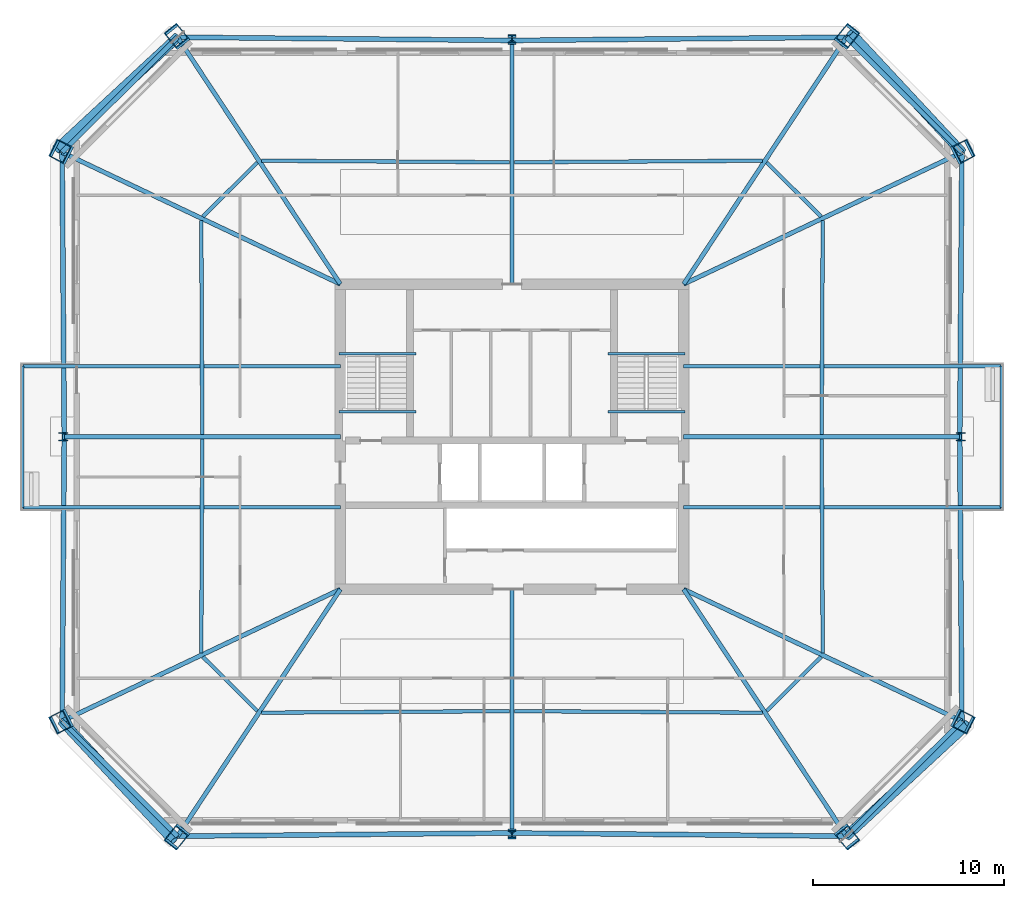
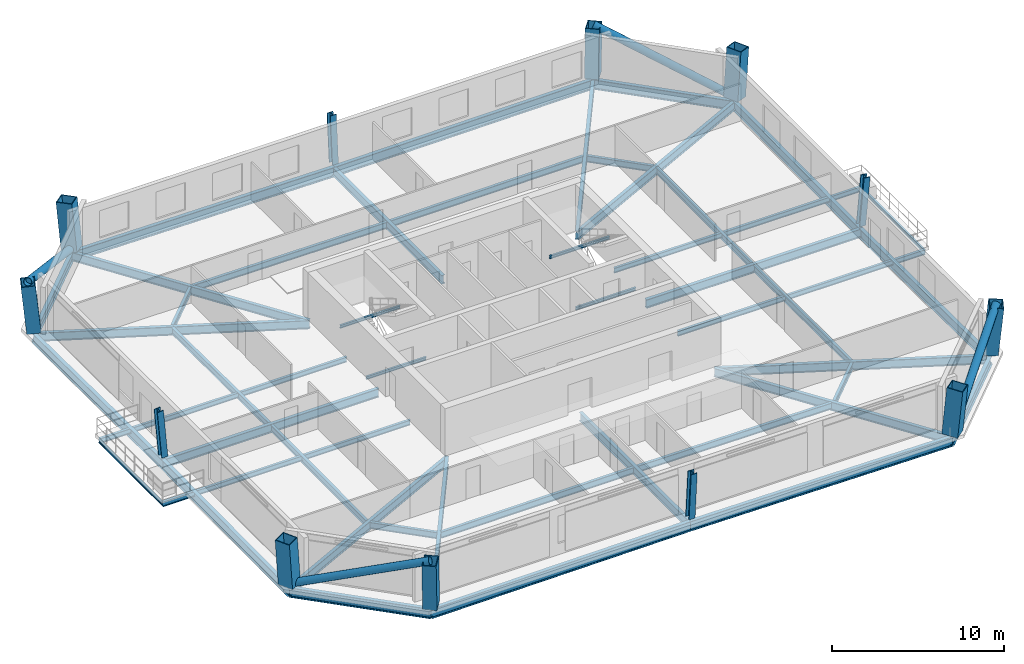
# One storey, part 1 of 8: 46 beams, 12 columns, 4 members.
"""IFC4 building model written with IfcOpenShell, lengths in metres."""

from ifc_helpers import new_model, si_unit, direction, frame, origin, origin_2d, place, context, subcontext, project, spatial, hollow_rectangle, hollow_circle, i_section, extrude, material, material_profile, profile_set, type_object, element, save


model = new_model("IFC4")

# Units and contexts
model_context = context("Model", 3, precision=1e-05, world=origin(), true_north=direction((0.0, 1.0)))
body_context = subcontext(model_context, "Body", "Model", "MODEL_VIEW")
ifc_project = project(units=[si_unit("LENGTHUNIT", "METRE"), si_unit("AREAUNIT", "SQUARE_METRE"), si_unit("VOLUMEUNIT", "CUBIC_METRE"), si_unit("PLANEANGLEUNIT", "RADIAN"), si_unit("MASSUNIT", "GRAM", prefix="KILO")], contexts=[model_context])

# Site, building, storey
site_placement = place(None, origin())
site = spatial("IfcSite", under=ifc_project, at=site_placement, CompositionType="ELEMENT")
building_placement = place(site_placement, origin())
building = spatial("IfcBuilding", under=site, at=building_placement, Name="Caelvoria Tower", CompositionType="ELEMENT")
storey_placement = place(building_placement, frame((0.0, 0.0, 145.60009765625)))
storey = spatial("IfcBuildingStorey", under=building, at=storey_placement, Name="L38", CompositionType="ELEMENT", Elevation=145.60009765625)

# Columns
ifc_material_1 = material(Name="Structural Steel ASTM A572 Gr.50", Category="steel")
ifc_material_profile_1 = material_profile(ifc_material_1, hollow_rectangle(XDim=0.85009765625, YDim=1.0, WallThickness=0.050048828125, at=origin_2d()), Name="Structural Steel ASTM A572 Gr.50")
ifc_profile_set_1 = profile_set([ifc_material_profile_1], Name="BOX1000X850X50 - Structural Steel ASTM A572 Gr.50")
column_type_1 = type_object("IfcColumnType", Name="Mega Box Column 1000x850x50", PredefinedType="COLUMN", material=ifc_profile_set_1)
for number, where, z_axis, x_axis, name in (
    (1, (28.462158203125, 11.052001953125, 0.0), (-0.059277862286, -0.074043044101, 0.995491719033), (0.780645414878, -0.624974188451, 0.0), "Perimeter Megaframe Column L38-P00"),
    (2, (63.537841796875, 11.052001953125, 0.0), (0.059277862286, -0.074043044101, 0.995491719033), (0.780645414878, 0.624974188451, 0.0), "Perimeter Megaframe Column L38-P02"),
):
    element("IfcColumn", number, at=place(storey_placement, frame(where, z_axis=z_axis, x_axis=x_axis)), inside=storey, type_object=column_type_1, Name=name, PredefinedType="COLUMN", context=body_context, shape_type="SweptSolid", body=[
        extrude(hollow_rectangle(XDim=0.85009765625, YDim=1.0, WallThickness=0.050048828125, at=origin_2d()), origin(), (0.0, 0.0, 1.0), 3.373046875),
    ])
for number, where, z_axis, x_axis, name in (
    (3, (69.59130859375, 17.084716796875, 0.0), (0.088840732105, -0.044637403672, 0.995045137927), (-0.889124879538, 0.446734568954, 0.099424209766), "Perimeter Megaframe Column L38-P03"),
    (4, (69.59130859375, 46.915283203125, 0.0), (0.088840732105, 0.044637403672, 0.995045137927), (-0.889124879538, -0.446734568954, 0.099424209766), "Perimeter Megaframe Column L38-P05"),
):
    element("IfcColumn", number, at=place(storey_placement, frame(where, z_axis=z_axis, x_axis=x_axis)), inside=storey, type_object=column_type_1, Name=name, PredefinedType="COLUMN", context=body_context, shape_type="SweptSolid", body=[
        extrude(hollow_rectangle(XDim=0.85009765625, YDim=1.0, WallThickness=0.050048828125, at=origin_2d()), origin(), (0.0, 0.0, 1.0), 3.37451171875),
    ])
for number, where, z_axis, x_axis, name in (
    (5, (63.537841796875, 52.947998046875, 0.0), (0.059277862286, 0.074043044101, 0.995491719033), (-0.780645414878, 0.624974188451, 0.0), "Perimeter Megaframe Column L38-P06"),
    (6, (28.462158203125, 52.947998046875, 0.0), (-0.059277862286, 0.074043044101, 0.995491719033), (-0.780645414878, -0.624974188451, 0.0), "Perimeter Megaframe Column L38-P08"),
):
    element("IfcColumn", number, at=place(storey_placement, frame(where, z_axis=z_axis, x_axis=x_axis)), inside=storey, type_object=column_type_1, Name=name, PredefinedType="COLUMN", context=body_context, shape_type="SweptSolid", body=[
        extrude(hollow_rectangle(XDim=0.85009765625, YDim=1.0, WallThickness=0.050048828125, at=origin_2d()), origin(), (0.0, 0.0, 1.0), 3.373046875),
    ])
for number, where, z_axis, x_axis, name in (
    (7, (22.40869140625, 46.915283203125, 0.0), (-0.088840732105, 0.044637403672, 0.995045137927), (0.889124879538, -0.446734568954, 0.099424209766), "Perimeter Megaframe Column L38-P09"),
    (8, (22.40869140625, 17.084716796875, 0.0), (-0.088840732105, -0.044637403672, 0.995045137927), (0.889124879538, 0.446734568954, 0.099424209766), "Perimeter Megaframe Column L38-P11"),
):
    element("IfcColumn", number, at=place(storey_placement, frame(where, z_axis=z_axis, x_axis=x_axis)), inside=storey, type_object=column_type_1, Name=name, PredefinedType="COLUMN", context=body_context, shape_type="SweptSolid", body=[
        extrude(hollow_rectangle(XDim=0.85009765625, YDim=1.0, WallThickness=0.050048828125, at=origin_2d()), origin(), (0.0, 0.0, 1.0), 3.37451171875),
    ])
ifc_material_2 = material(Name="Structural Steel ASTM A992 Gr.50", Category="steel")
ifc_material_profile_2 = material_profile(ifc_material_2, i_section(OverallWidth=0.406005859375, OverallDepth=0.425048828125, WebThickness=0.03271484375, FlangeThickness=0.052490234375, FilletRadius=0.02490234375, at=origin_2d()), Name="Structural Steel ASTM A992 Gr.50")
ifc_profile_set_2 = profile_set([ifc_material_profile_2], Name="W360X421 - Structural Steel ASTM A992 Gr.50")
column_type_2 = type_object("IfcColumnType", Name="Mid Frame Column W360X421", PredefinedType="COLUMN", material=ifc_profile_set_2)
column_1_placement = place(storey_placement, frame((46.0, 11.219970703125, 0.0), z_axis=(0.0, -0.074245582927, 0.997239987874), x_axis=(1.0, 0.0, 0.0)))
element("IfcColumn", 9, at=column_1_placement, inside=storey, type_object=column_type_2, Name="Perimeter Megaframe Column L38-P01", PredefinedType="COLUMN", context=body_context, shape_type="SweptSolid", body=[
    extrude(i_section(OverallWidth=0.406005859375, OverallDepth=0.425048828125, WebThickness=0.03271484375, FlangeThickness=0.052490234375, FilletRadius=0.02490234375, at=origin_2d()), origin(), (0.0, 0.0, 1.0), 3.3671875),
])
column_2_placement = place(storey_placement, frame((69.47998046875, 32.0, 0.0), z_axis=(0.089001216718, 0.0, 0.996031517284), x_axis=(-0.996031517284, 0.0, 0.089001216718)))
element("IfcColumn", 10, at=column_2_placement, inside=storey, type_object=column_type_2, Name="Perimeter Megaframe Column L38-P04", PredefinedType="COLUMN", context=body_context, shape_type="SweptSolid", body=[
    extrude(i_section(OverallWidth=0.406005859375, OverallDepth=0.425048828125, WebThickness=0.03271484375, FlangeThickness=0.052490234375, FilletRadius=0.02490234375, at=origin_2d()), origin(), (0.0, 0.0, 1.0), 3.371337890625),
])
column_3_placement = place(storey_placement, frame((46.0, 52.780029296875, 0.0), z_axis=(0.0, 0.074245582927, 0.997239987874), x_axis=(-1.0, 0.0, 0.0)))
element("IfcColumn", 11, at=column_3_placement, inside=storey, type_object=column_type_2, Name="Perimeter Megaframe Column L38-P07", PredefinedType="COLUMN", context=body_context, shape_type="SweptSolid", body=[
    extrude(i_section(OverallWidth=0.406005859375, OverallDepth=0.425048828125, WebThickness=0.03271484375, FlangeThickness=0.052490234375, FilletRadius=0.02490234375, at=origin_2d()), origin(), (0.0, 0.0, 1.0), 3.3671875),
])
column_4_placement = place(storey_placement, frame((22.52001953125, 32.0, 0.0), z_axis=(-0.089001216718, 0.0, 0.996031517284), x_axis=(0.996031517284, 0.0, 0.089001216718)))
element("IfcColumn", 12, at=column_4_placement, inside=storey, type_object=column_type_2, Name="Perimeter Megaframe Column L38-P10", PredefinedType="COLUMN", context=body_context, shape_type="SweptSolid", body=[
    extrude(i_section(OverallWidth=0.406005859375, OverallDepth=0.425048828125, WebThickness=0.03271484375, FlangeThickness=0.052490234375, FilletRadius=0.02490234375, at=origin_2d()), origin(), (0.0, 0.0, 1.0), 3.371337890625),
])

# Beams
ifc_material_profile_3 = material_profile(ifc_material_2, i_section(OverallWidth=0.134033203125, OverallDepth=0.2099609375, WebThickness=0.00634765625, FlangeThickness=0.01025390625, FilletRadius=0.010009765625, at=origin_2d()), Name="Structural Steel ASTM A992 Gr.50")
ifc_profile_set_3 = profile_set([ifc_material_profile_3], Name="W200X31.3 - Structural Steel ASTM A992 Gr.50")
beam_type_1 = type_object("IfcBeamType", Name="Canopy Edge Trim Beam W200X31.3", PredefinedType="BEAM", material=ifc_profile_set_3)
for number, where, z_axis, x_axis, name in (
    (13, (20.35009765625, 28.300048828125, -0.42919921875), (0.0, 1.0, 0.0), (-1.0, 0.0, 0.0), "Tree Balcony Edge Beam TB-L38-W"),
    (14, (71.64990234375, 28.300048828125, -0.42919921875), (0.0, 1.0, 0.0), (-1.0, 0.0, 0.0), "Tree Balcony Edge Beam TB-L38-E"),
):
    element("IfcBeam", number, at=place(storey_placement, frame(where, z_axis=z_axis, x_axis=x_axis)), inside=storey, type_object=beam_type_1, Name=name, PredefinedType="BEAM", context=body_context, shape_type="SweptSolid", body=[
        extrude(i_section(OverallWidth=0.134033203125, OverallDepth=0.2099609375, WebThickness=0.00634765625, FlangeThickness=0.01025390625, FilletRadius=0.010009765625, at=origin_2d()), origin(), (0.0, 0.0, 1.0), 7.39990234375),
    ])
for number, where, z_axis, x_axis, name in (
    (15, (36.929931640625, 36.35009765625, 1.494873046875), (1.0, 0.0, 0.0), (0.0, 1.0, 0.0), "ST-01 Half-Landing Support Beam L38"),
    (16, (36.929931640625, 33.300048828125, -0.30517578125), (1.0, 0.0, 0.0), (0.0, 1.0, 0.0), "ST-01 Floor-Landing Support Beam L38"),
    (17, (51.030029296875, 36.35009765625, 1.494873046875), (1.0, 0.0, 0.0), (0.0, 1.0, 0.0), "ST-02 Half-Landing Support Beam L38"),
    (18, (51.030029296875, 33.300048828125, -0.30517578125), (1.0, 0.0, 0.0), (0.0, 1.0, 0.0), "ST-02 Floor-Landing Support Beam L38"),
):
    element("IfcBeam", number, at=place(storey_placement, frame(where, z_axis=z_axis, x_axis=x_axis)), inside=storey, type_object=beam_type_1, Name=name, PredefinedType="BEAM", context=body_context, shape_type="SweptSolid", body=[
        extrude(i_section(OverallWidth=0.134033203125, OverallDepth=0.2099609375, WebThickness=0.00634765625, FlangeThickness=0.01025390625, FilletRadius=0.010009765625, at=origin_2d()), origin(), (0.0, 0.0, 1.0), 4.0400390625),
    ])

# Members
ifc_material_profile_4 = material_profile(ifc_material_1, hollow_circle(Radius=0.25390625, WallThickness=0.02001953125, at=origin_2d()), Name="Structural Steel ASTM A572 Gr.50")
ifc_profile_set_4 = profile_set([ifc_material_profile_4], Name="CHS508X20 - Structural Steel ASTM A572 Gr.50")
member_type = type_object("IfcMemberType", Name="Mid Perimeter Mega Brace CHS508X20", PredefinedType="BRACE", material=ifc_profile_set_4)
member_1_placement = place(storey_placement, frame((63.537841796875, 11.052001953125, 0.0), z_axis=(0.684090908776, 0.633355195986, 0.361774548921), x_axis=(-0.679372043994, 0.733793994142, 0.0)))
element("IfcMember", 19, at=member_1_placement, inside=storey, type_object=member_type, Name="Perimeter Chamfer Mega Brace L38 SE", PredefinedType="BRACE", context=body_context, shape_type="SweptSolid", body=[
    extrude(hollow_circle(Radius=0.25390625, WallThickness=0.02001953125, at=origin_2d()), origin(), (0.0, 0.0, 1.0), 9.287109375),
])
member_2_placement = place(storey_placement, frame((69.59130859375, 46.915283203125, 0.0), z_axis=(-0.634821643132, 0.681342398345, 0.364381692225), x_axis=(-0.731643088576, -0.681687898484, 0.0)))
element("IfcMember", 20, at=member_2_placement, inside=storey, type_object=member_type, Name="Perimeter Chamfer Mega Brace L38 NE", PredefinedType="BRACE", context=body_context, shape_type="SweptSolid", body=[
    extrude(hollow_circle(Radius=0.25390625, WallThickness=0.02001953125, at=origin_2d()), origin(), (0.0, 0.0, 1.0), 9.220703125),
])
member_3_placement = place(storey_placement, frame((28.462158203125, 52.947998046875, 0.0), z_axis=(-0.684090908776, -0.633355195986, 0.361774548921), x_axis=(0.679372043994, -0.733793994142, 0.0)))
element("IfcMember", 21, at=member_3_placement, inside=storey, type_object=member_type, Name="Perimeter Chamfer Mega Brace L38 NW", PredefinedType="BRACE", context=body_context, shape_type="SweptSolid", body=[
    extrude(hollow_circle(Radius=0.25390625, WallThickness=0.02001953125, at=origin_2d()), origin(), (0.0, 0.0, 1.0), 9.287109375),
])
member_4_placement = place(storey_placement, frame((22.40869140625, 17.084716796875, 0.0), z_axis=(0.634821643132, -0.681342398345, 0.364381692225), x_axis=(0.731643088576, 0.681687898484, 0.0)))
element("IfcMember", 22, at=member_4_placement, inside=storey, type_object=member_type, Name="Perimeter Chamfer Mega Brace L38 SW", PredefinedType="BRACE", context=body_context, shape_type="SweptSolid", body=[
    extrude(hollow_circle(Radius=0.25390625, WallThickness=0.02001953125, at=origin_2d()), origin(), (0.0, 0.0, 1.0), 9.220703125),
])

# Beams
ifc_material_profile_5 = material_profile(ifc_material_2, i_section(OverallWidth=0.25390625, OverallDepth=0.68798828125, WebThickness=0.01318359375, FlangeThickness=0.02099609375, FilletRadius=0.01904296875, at=origin_2d()), Name="Structural Steel ASTM A992 Gr.50")
ifc_profile_set_5 = profile_set([ifc_material_profile_5], Name="W690X152 - Structural Steel ASTM A992 Gr.50")
beam_type_2 = type_object("IfcBeamType", Name="Perimeter Spandrel Girder W690X152", PredefinedType="BEAM", material=ifc_profile_set_5)
for number, where, z_axis, x_axis, name in (
    (23, (28.462158203125, 11.052001953125, -0.583984375), (0.999954138864, 0.009577064767, 0.0), (-0.009577064767, 0.999954138864, 0.0), "Perimeter Spandrel Girder L38-00"),
    (24, (46.0, 11.219970703125, -0.583984375), (0.999954138864, -0.009577064767, 0.0), (0.009577064767, 0.999954138864, 0.0), "Perimeter Spandrel Girder L38-01"),
):
    element("IfcBeam", number, at=place(storey_placement, frame(where, z_axis=z_axis, x_axis=x_axis)), inside=storey, type_object=beam_type_2, Name=name, PredefinedType="BEAM", context=body_context, shape_type="SweptSolid", body=[
        extrude(i_section(OverallWidth=0.25390625, OverallDepth=0.68798828125, WebThickness=0.01318359375, FlangeThickness=0.02099609375, FilletRadius=0.01904296875, at=origin_2d()), origin(), (0.0, 0.0, 1.0), 17.53857421875),
    ])
beam_1_placement = place(storey_placement, frame((63.537841796875, 11.052001953125, -0.583984375), z_axis=(0.708319838224, 0.705891639545, 0.0), x_axis=(-0.705891639545, 0.708319838224, 0.0)))
element("IfcBeam", 25, at=beam_1_placement, inside=storey, type_object=beam_type_2, Name="Perimeter Spandrel Girder L38-02", PredefinedType="BEAM", context=body_context, shape_type="SweptSolid", body=[
    extrude(i_section(OverallWidth=0.25390625, OverallDepth=0.68798828125, WebThickness=0.01318359375, FlangeThickness=0.02099609375, FilletRadius=0.01904296875, at=origin_2d()), origin(), (0.0, 0.0, 1.0), 8.546142578125),
])
for number, where, z_axis, x_axis, name in (
    (26, (69.59130859375, 17.084716796875, -0.583984375), (-0.007463822341, 0.99997214529, 0.0), (-0.99997214529, -0.007463822341, 0.0), "Perimeter Spandrel Girder L38-03"),
    (27, (69.47998046875, 32.0, -0.583984375), (0.007463822341, 0.99997214529, 0.0), (-0.99997214529, 0.007463822341, 0.0), "Perimeter Spandrel Girder L38-04"),
):
    element("IfcBeam", number, at=place(storey_placement, frame(where, z_axis=z_axis, x_axis=x_axis)), inside=storey, type_object=beam_type_2, Name=name, PredefinedType="BEAM", context=body_context, shape_type="SweptSolid", body=[
        extrude(i_section(OverallWidth=0.25390625, OverallDepth=0.68798828125, WebThickness=0.01318359375, FlangeThickness=0.02099609375, FilletRadius=0.01904296875, at=origin_2d()), origin(), (0.0, 0.0, 1.0), 14.915771484375),
    ])
beam_2_placement = place(storey_placement, frame((69.59130859375, 46.915283203125, -0.583984375), z_axis=(-0.708319838224, 0.705891639545, 0.0), x_axis=(-0.705891639545, -0.708319838224, 0.0)))
element("IfcBeam", 28, at=beam_2_placement, inside=storey, type_object=beam_type_2, Name="Perimeter Spandrel Girder L38-05", PredefinedType="BEAM", context=body_context, shape_type="SweptSolid", body=[
    extrude(i_section(OverallWidth=0.25390625, OverallDepth=0.68798828125, WebThickness=0.01318359375, FlangeThickness=0.02099609375, FilletRadius=0.01904296875, at=origin_2d()), origin(), (0.0, 0.0, 1.0), 8.546142578125),
])
for number, where, z_axis, x_axis, name in (
    (29, (63.537841796875, 52.947998046875, -0.583984375), (-0.999954138864, -0.009577064767, 0.0), (0.009577064767, -0.999954138864, 0.0), "Perimeter Spandrel Girder L38-06"),
    (30, (46.0, 52.780029296875, -0.583984375), (-0.999954138864, 0.009577064767, 0.0), (-0.009577064767, -0.999954138864, 0.0), "Perimeter Spandrel Girder L38-07"),
):
    element("IfcBeam", number, at=place(storey_placement, frame(where, z_axis=z_axis, x_axis=x_axis)), inside=storey, type_object=beam_type_2, Name=name, PredefinedType="BEAM", context=body_context, shape_type="SweptSolid", body=[
        extrude(i_section(OverallWidth=0.25390625, OverallDepth=0.68798828125, WebThickness=0.01318359375, FlangeThickness=0.02099609375, FilletRadius=0.01904296875, at=origin_2d()), origin(), (0.0, 0.0, 1.0), 17.53857421875),
    ])
beam_3_placement = place(storey_placement, frame((28.462158203125, 52.947998046875, -0.583984375), z_axis=(-0.708319838224, -0.705891639545, 0.0), x_axis=(0.705891639545, -0.708319838224, 0.0)))
element("IfcBeam", 31, at=beam_3_placement, inside=storey, type_object=beam_type_2, Name="Perimeter Spandrel Girder L38-08", PredefinedType="BEAM", context=body_context, shape_type="SweptSolid", body=[
    extrude(i_section(OverallWidth=0.25390625, OverallDepth=0.68798828125, WebThickness=0.01318359375, FlangeThickness=0.02099609375, FilletRadius=0.01904296875, at=origin_2d()), origin(), (0.0, 0.0, 1.0), 8.546142578125),
])
for number, where, z_axis, x_axis, name in (
    (32, (22.40869140625, 46.915283203125, -0.583984375), (0.007463822341, -0.99997214529, 0.0), (0.99997214529, 0.007463822341, 0.0), "Perimeter Spandrel Girder L38-09"),
    (33, (22.52001953125, 32.0, -0.583984375), (-0.007463822341, -0.99997214529, 0.0), (0.99997214529, -0.007463822341, 0.0), "Perimeter Spandrel Girder L38-10"),
):
    element("IfcBeam", number, at=place(storey_placement, frame(where, z_axis=z_axis, x_axis=x_axis)), inside=storey, type_object=beam_type_2, Name=name, PredefinedType="BEAM", context=body_context, shape_type="SweptSolid", body=[
        extrude(i_section(OverallWidth=0.25390625, OverallDepth=0.68798828125, WebThickness=0.01318359375, FlangeThickness=0.02099609375, FilletRadius=0.01904296875, at=origin_2d()), origin(), (0.0, 0.0, 1.0), 14.915771484375),
    ])
beam_4_placement = place(storey_placement, frame((22.40869140625, 17.084716796875, -0.583984375), z_axis=(0.708319838224, -0.705891639545, 0.0), x_axis=(0.705891639545, 0.708319838224, 0.0)))
element("IfcBeam", 34, at=beam_4_placement, inside=storey, type_object=beam_type_2, Name="Perimeter Spandrel Girder L38-11", PredefinedType="BEAM", context=body_context, shape_type="SweptSolid", body=[
    extrude(i_section(OverallWidth=0.25390625, OverallDepth=0.68798828125, WebThickness=0.01318359375, FlangeThickness=0.02099609375, FilletRadius=0.01904296875, at=origin_2d()), origin(), (0.0, 0.0, 1.0), 8.546142578125),
])
ifc_material_profile_6 = material_profile(ifc_material_2, i_section(OverallWidth=0.22900390625, OverallDepth=0.612060546875, WebThickness=0.011962890625, FlangeThickness=0.01953125, FilletRadius=0.01806640625, at=origin_2d()), Name="Structural Steel ASTM A992 Gr.50")
ifc_profile_set_6 = profile_set([ifc_material_profile_6], Name="W610X125 - Structural Steel ASTM A992 Gr.50")
beam_type_3 = type_object("IfcBeamType", Name="Primary Radial Floor Girder W610X125", PredefinedType="BEAM", material=ifc_profile_set_6)
beam_5_placement = place(storey_placement, frame((37.0, 24.0, -0.546142578125), z_axis=(-0.550490183299, -0.834841636535, 0.0), x_axis=(0.834841636535, -0.550490183299, 0.0)))
element("IfcBeam", 35, at=beam_5_placement, inside=storey, type_object=beam_type_3, Name="Primary Floor Girder L38-00", PredefinedType="BEAM", context=body_context, shape_type="SweptSolid", body=[
    extrude(i_section(OverallWidth=0.22900390625, OverallDepth=0.612060546875, WebThickness=0.011962890625, FlangeThickness=0.01953125, FilletRadius=0.01806640625, at=origin_2d()), origin(), (0.0, 0.0, 1.0), 15.509521484375),
])
beam_6_placement = place(storey_placement, frame((46.0, 24.0, -0.546142578125), z_axis=(0.0, -1.0, 0.0), x_axis=(1.0, 0.0, 0.0)))
element("IfcBeam", 36, at=beam_6_placement, inside=storey, type_object=beam_type_3, Name="Primary Floor Girder L38-01", PredefinedType="BEAM", context=body_context, shape_type="SweptSolid", body=[
    extrude(i_section(OverallWidth=0.22900390625, OverallDepth=0.612060546875, WebThickness=0.011962890625, FlangeThickness=0.01953125, FilletRadius=0.01806640625, at=origin_2d()), origin(), (0.0, 0.0, 1.0), 12.780029296875),
])
beam_7_placement = place(storey_placement, frame((55.0, 24.0, -0.546142578125), z_axis=(0.550490183299, -0.834841636535, 0.0), x_axis=(0.834841636535, 0.550490183299, 0.0)))
element("IfcBeam", 37, at=beam_7_placement, inside=storey, type_object=beam_type_3, Name="Primary Floor Girder L38-02", PredefinedType="BEAM", context=body_context, shape_type="SweptSolid", body=[
    extrude(i_section(OverallWidth=0.22900390625, OverallDepth=0.612060546875, WebThickness=0.011962890625, FlangeThickness=0.01953125, FilletRadius=0.01806640625, at=origin_2d()), origin(), (0.0, 0.0, 1.0), 15.509521484375),
])
beam_8_placement = place(storey_placement, frame((55.0, 24.0, -0.546142578125), z_axis=(0.903651309057, -0.428268971138, 0.0), x_axis=(0.428268971138, 0.903651309057, 0.0)))
element("IfcBeam", 38, at=beam_8_placement, inside=storey, type_object=beam_type_3, Name="Primary Floor Girder L38-03", PredefinedType="BEAM", context=body_context, shape_type="SweptSolid", body=[
    extrude(i_section(OverallWidth=0.22900390625, OverallDepth=0.612060546875, WebThickness=0.011962890625, FlangeThickness=0.01953125, FilletRadius=0.01806640625, at=origin_2d()), origin(), (0.0, 0.0, 1.0), 16.14697265625),
])
beam_9_placement = place(storey_placement, frame((55.0, 32.0, -0.546142578125), z_axis=(1.0, 0.0, 0.0), x_axis=(0.0, 1.0, 0.0)))
element("IfcBeam", 39, at=beam_9_placement, inside=storey, type_object=beam_type_3, Name="Primary Floor Girder L38-04", PredefinedType="BEAM", context=body_context, shape_type="SweptSolid", body=[
    extrude(i_section(OverallWidth=0.22900390625, OverallDepth=0.612060546875, WebThickness=0.011962890625, FlangeThickness=0.01953125, FilletRadius=0.01806640625, at=origin_2d()), origin(), (0.0, 0.0, 1.0), 14.47998046875),
])
beam_10_placement = place(storey_placement, frame((55.0, 40.0, -0.546142578125), z_axis=(0.903651309057, 0.428268971138, 0.0), x_axis=(-0.428268971138, 0.903651309057, 0.0)))
element("IfcBeam", 40, at=beam_10_placement, inside=storey, type_object=beam_type_3, Name="Primary Floor Girder L38-05", PredefinedType="BEAM", context=body_context, shape_type="SweptSolid", body=[
    extrude(i_section(OverallWidth=0.22900390625, OverallDepth=0.612060546875, WebThickness=0.011962890625, FlangeThickness=0.01953125, FilletRadius=0.01806640625, at=origin_2d()), origin(), (0.0, 0.0, 1.0), 16.14697265625),
])
beam_11_placement = place(storey_placement, frame((55.0, 40.0, -0.546142578125), z_axis=(0.550490183299, 0.834841636535, 0.0), x_axis=(-0.834841636535, 0.550490183299, 0.0)))
element("IfcBeam", 41, at=beam_11_placement, inside=storey, type_object=beam_type_3, Name="Primary Floor Girder L38-06", PredefinedType="BEAM", context=body_context, shape_type="SweptSolid", body=[
    extrude(i_section(OverallWidth=0.22900390625, OverallDepth=0.612060546875, WebThickness=0.011962890625, FlangeThickness=0.01953125, FilletRadius=0.01806640625, at=origin_2d()), origin(), (0.0, 0.0, 1.0), 15.509521484375),
])
beam_12_placement = place(storey_placement, frame((46.0, 40.0, -0.546142578125), z_axis=(0.0, 1.0, 0.0), x_axis=(-1.0, 0.0, 0.0)))
element("IfcBeam", 42, at=beam_12_placement, inside=storey, type_object=beam_type_3, Name="Primary Floor Girder L38-07", PredefinedType="BEAM", context=body_context, shape_type="SweptSolid", body=[
    extrude(i_section(OverallWidth=0.22900390625, OverallDepth=0.612060546875, WebThickness=0.011962890625, FlangeThickness=0.01953125, FilletRadius=0.01806640625, at=origin_2d()), origin(), (0.0, 0.0, 1.0), 12.780029296875),
])
beam_13_placement = place(storey_placement, frame((37.0, 40.0, -0.546142578125), z_axis=(-0.550490183299, 0.834841636535, 0.0), x_axis=(-0.834841636535, -0.550490183299, 0.0)))
element("IfcBeam", 43, at=beam_13_placement, inside=storey, type_object=beam_type_3, Name="Primary Floor Girder L38-08", PredefinedType="BEAM", context=body_context, shape_type="SweptSolid", body=[
    extrude(i_section(OverallWidth=0.22900390625, OverallDepth=0.612060546875, WebThickness=0.011962890625, FlangeThickness=0.01953125, FilletRadius=0.01806640625, at=origin_2d()), origin(), (0.0, 0.0, 1.0), 15.509521484375),
])
beam_14_placement = place(storey_placement, frame((37.0, 40.0, -0.546142578125), z_axis=(-0.903651309057, 0.428268971138, 0.0), x_axis=(-0.428268971138, -0.903651309057, 0.0)))
element("IfcBeam", 44, at=beam_14_placement, inside=storey, type_object=beam_type_3, Name="Primary Floor Girder L38-09", PredefinedType="BEAM", context=body_context, shape_type="SweptSolid", body=[
    extrude(i_section(OverallWidth=0.22900390625, OverallDepth=0.612060546875, WebThickness=0.011962890625, FlangeThickness=0.01953125, FilletRadius=0.01806640625, at=origin_2d()), origin(), (0.0, 0.0, 1.0), 16.14697265625),
])
beam_15_placement = place(storey_placement, frame((37.0, 32.0, -0.546142578125), z_axis=(-1.0, 0.0, 0.0), x_axis=(0.0, -1.0, 0.0)))
element("IfcBeam", 45, at=beam_15_placement, inside=storey, type_object=beam_type_3, Name="Primary Floor Girder L38-10", PredefinedType="BEAM", context=body_context, shape_type="SweptSolid", body=[
    extrude(i_section(OverallWidth=0.22900390625, OverallDepth=0.612060546875, WebThickness=0.011962890625, FlangeThickness=0.01953125, FilletRadius=0.01806640625, at=origin_2d()), origin(), (0.0, 0.0, 1.0), 14.47998046875),
])
beam_16_placement = place(storey_placement, frame((37.0, 24.0, -0.546142578125), z_axis=(-0.903651309057, -0.428268971138, 0.0), x_axis=(0.428268971138, -0.903651309057, 0.0)))
element("IfcBeam", 46, at=beam_16_placement, inside=storey, type_object=beam_type_3, Name="Primary Floor Girder L38-11", PredefinedType="BEAM", context=body_context, shape_type="SweptSolid", body=[
    extrude(i_section(OverallWidth=0.22900390625, OverallDepth=0.612060546875, WebThickness=0.011962890625, FlangeThickness=0.01953125, FilletRadius=0.01806640625, at=origin_2d()), origin(), (0.0, 0.0, 1.0), 16.14697265625),
])
ifc_material_profile_7 = material_profile(ifc_material_2, i_section(OverallWidth=0.18994140625, OverallDepth=0.45703125, WebThickness=0.009033203125, FlangeThickness=0.014404296875, FilletRadius=0.014892578125, at=origin_2d()), Name="Structural Steel ASTM A992 Gr.50")
ifc_profile_set_7 = profile_set([ifc_material_profile_7], Name="W460X74 - Structural Steel ASTM A992 Gr.50")
beam_type_4 = type_object("IfcBeamType", Name="Secondary Floor Beam W460X74", PredefinedType="BEAM", material=ifc_profile_set_7)
for number, where, z_axis, x_axis, name in (
    (47, (32.856201171875, 17.52685546875, -0.468505859375), (0.999980031057, 0.006319611261, 0.0), (-0.006319611261, 0.999980031057, 0.0), "Secondary Floor Beam L38-00"),
    (48, (46.125, 17.609130859375, -0.468505859375), (0.999980031057, -0.006319611261, 0.0), (0.006319611261, 0.999980031057, 0.0), "Secondary Floor Beam L38-01"),
):
    element("IfcBeam", number, at=place(storey_placement, frame(where, z_axis=z_axis, x_axis=x_axis)), inside=storey, type_object=beam_type_4, Name=name, PredefinedType="BEAM", context=body_context, shape_type="SweptSolid", body=[
        extrude(i_section(OverallWidth=0.18994140625, OverallDepth=0.45703125, WebThickness=0.009033203125, FlangeThickness=0.014404296875, FilletRadius=0.014892578125, at=origin_2d()), origin(), (0.0, 0.0, 1.0), 13.01904296875),
    ])
beam_17_placement = place(storey_placement, frame((59.357421875, 17.6142578125, -0.468505859375), z_axis=(0.708349683193, 0.705861690645, 0.0), x_axis=(-0.705861690645, 0.708349683193, 0.0)))
element("IfcBeam", 49, at=beam_17_placement, inside=storey, type_object=beam_type_4, Name="Secondary Floor Beam L38-02", PredefinedType="BEAM", context=body_context, shape_type="SweptSolid", body=[
    extrude(i_section(OverallWidth=0.18994140625, OverallDepth=0.45703125, WebThickness=0.009033203125, FlangeThickness=0.014404296875, FilletRadius=0.014892578125, at=origin_2d()), origin(), (0.0, 0.0, 1.0), 4.023193359375),
])
for number, where, z_axis, x_axis, name in (
    (50, (62.295166015625, 20.66748046875, -0.468505859375), (-0.004879478354, 0.999988095275, 0.0), (-0.999988095275, -0.004879478354, 0.0), "Secondary Floor Beam L38-03"),
    (51, (62.240478515625, 32.125, -0.468505859375), (0.004879478354, 0.999988095275, 0.0), (-0.999988095275, 0.004879478354, 0.0), "Secondary Floor Beam L38-04"),
):
    element("IfcBeam", number, at=place(storey_placement, frame(where, z_axis=z_axis, x_axis=x_axis)), inside=storey, type_object=beam_type_4, Name=name, PredefinedType="BEAM", context=body_context, shape_type="SweptSolid", body=[
        extrude(i_section(OverallWidth=0.18994140625, OverallDepth=0.45703125, WebThickness=0.009033203125, FlangeThickness=0.014404296875, FilletRadius=0.014892578125, at=origin_2d()), origin(), (0.0, 0.0, 1.0), 11.207763671875),
    ])
beam_18_placement = place(storey_placement, frame((62.207275390625, 43.5458984375, -0.468505859375), z_axis=(-0.708349683193, 0.705861690645, 0.0), x_axis=(-0.705861690645, -0.708349683193, 0.0)))
element("IfcBeam", 52, at=beam_18_placement, inside=storey, type_object=beam_type_4, Name="Secondary Floor Beam L38-05", PredefinedType="BEAM", context=body_context, shape_type="SweptSolid", body=[
    extrude(i_section(OverallWidth=0.18994140625, OverallDepth=0.45703125, WebThickness=0.009033203125, FlangeThickness=0.014404296875, FilletRadius=0.014892578125, at=origin_2d()), origin(), (0.0, 0.0, 1.0), 4.023193359375),
])
for number, where, z_axis, x_axis, name in (
    (53, (59.143798828125, 46.47314453125, -0.468505859375), (-0.999980031057, -0.006319611261, 0.0), (0.006319611261, -0.999980031057, 0.0), "Secondary Floor Beam L38-06"),
    (54, (45.875, 46.390869140625, -0.468505859375), (-0.999980031057, 0.006319611261, 0.0), (-0.006319611261, -0.999980031057, 0.0), "Secondary Floor Beam L38-07"),
):
    element("IfcBeam", number, at=place(storey_placement, frame(where, z_axis=z_axis, x_axis=x_axis)), inside=storey, type_object=beam_type_4, Name=name, PredefinedType="BEAM", context=body_context, shape_type="SweptSolid", body=[
        extrude(i_section(OverallWidth=0.18994140625, OverallDepth=0.45703125, WebThickness=0.009033203125, FlangeThickness=0.014404296875, FilletRadius=0.014892578125, at=origin_2d()), origin(), (0.0, 0.0, 1.0), 13.01904296875),
    ])
beam_19_placement = place(storey_placement, frame((32.642578125, 46.3857421875, -0.468505859375), z_axis=(-0.708349683193, -0.705861690645, 0.0), x_axis=(0.705861690645, -0.708349683193, 0.0)))
element("IfcBeam", 55, at=beam_19_placement, inside=storey, type_object=beam_type_4, Name="Secondary Floor Beam L38-08", PredefinedType="BEAM", context=body_context, shape_type="SweptSolid", body=[
    extrude(i_section(OverallWidth=0.18994140625, OverallDepth=0.45703125, WebThickness=0.009033203125, FlangeThickness=0.014404296875, FilletRadius=0.014892578125, at=origin_2d()), origin(), (0.0, 0.0, 1.0), 4.023193359375),
])
for number, where, z_axis, x_axis, name in (
    (56, (29.704833984375, 43.33251953125, -0.468505859375), (0.004879478354, -0.999988095275, 0.0), (0.999988095275, 0.004879478354, 0.0), "Secondary Floor Beam L38-09"),
    (57, (29.759521484375, 31.875, -0.468505859375), (-0.004879478354, -0.999988095275, 0.0), (0.999988095275, -0.004879478354, 0.0), "Secondary Floor Beam L38-10"),
):
    element("IfcBeam", number, at=place(storey_placement, frame(where, z_axis=z_axis, x_axis=x_axis)), inside=storey, type_object=beam_type_4, Name=name, PredefinedType="BEAM", context=body_context, shape_type="SweptSolid", body=[
        extrude(i_section(OverallWidth=0.18994140625, OverallDepth=0.45703125, WebThickness=0.009033203125, FlangeThickness=0.014404296875, FilletRadius=0.014892578125, at=origin_2d()), origin(), (0.0, 0.0, 1.0), 11.207763671875),
    ])
beam_20_placement = place(storey_placement, frame((29.792724609375, 20.4541015625, -0.468505859375), z_axis=(0.708349683193, -0.705861690645, 0.0), x_axis=(0.705861690645, 0.708349683193, 0.0)))
element("IfcBeam", 58, at=beam_20_placement, inside=storey, type_object=beam_type_4, Name="Secondary Floor Beam L38-11", PredefinedType="BEAM", context=body_context, shape_type="SweptSolid", body=[
    extrude(i_section(OverallWidth=0.18994140625, OverallDepth=0.45703125, WebThickness=0.009033203125, FlangeThickness=0.014404296875, FilletRadius=0.014892578125, at=origin_2d()), origin(), (0.0, 0.0, 1.0), 4.023193359375),
])
ifc_material_profile_8 = material_profile(ifc_material_2, i_section(OverallWidth=0.1708984375, OverallDepth=0.35498046875, WebThickness=0.007080078125, FlangeThickness=0.01171875, FilletRadius=0.012939453125, at=origin_2d()), Name="Structural Steel ASTM A992 Gr.50")
ifc_profile_set_8 = profile_set([ifc_material_profile_8], Name="W360X51 - Structural Steel ASTM A992 Gr.50")
beam_type_5 = type_object("IfcBeamType", Name="Tree Balcony Cantilever Beam W360X51", PredefinedType="BEAM", material=ifc_profile_set_8)
for number, where, z_axis, x_axis, name in (
    (59, (37.0, 28.300048828125, -0.42919921875), (-1.0, 0.0, 0.0), (0.0, -1.0, 0.0), "Tree Balcony Cantilever Beam TB-L38-W L"),
    (60, (37.0, 35.699951171875, -0.42919921875), (-1.0, 0.0, 0.0), (0.0, -1.0, 0.0), "Tree Balcony Cantilever Beam TB-L38-W R"),
    (61, (55.0, 28.300048828125, -0.42919921875), (1.0, 0.0, 0.0), (0.0, 1.0, 0.0), "Tree Balcony Cantilever Beam TB-L38-E L"),
    (62, (55.0, 35.699951171875, -0.42919921875), (1.0, 0.0, 0.0), (0.0, 1.0, 0.0), "Tree Balcony Cantilever Beam TB-L38-E R"),
):
    element("IfcBeam", number, at=place(storey_placement, frame(where, z_axis=z_axis, x_axis=x_axis)), inside=storey, type_object=beam_type_5, Name=name, PredefinedType="BEAM", context=body_context, shape_type="SweptSolid", body=[
        extrude(i_section(OverallWidth=0.1708984375, OverallDepth=0.35498046875, WebThickness=0.007080078125, FlangeThickness=0.01171875, FilletRadius=0.012939453125, at=origin_2d()), origin(), (0.0, 0.0, 1.0), 16.64990234375),
    ])

save(model, "model.ifc")
